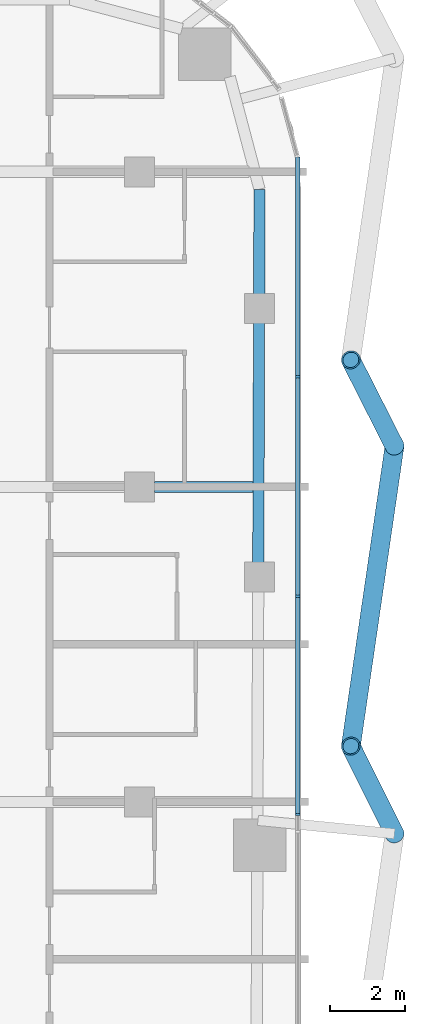
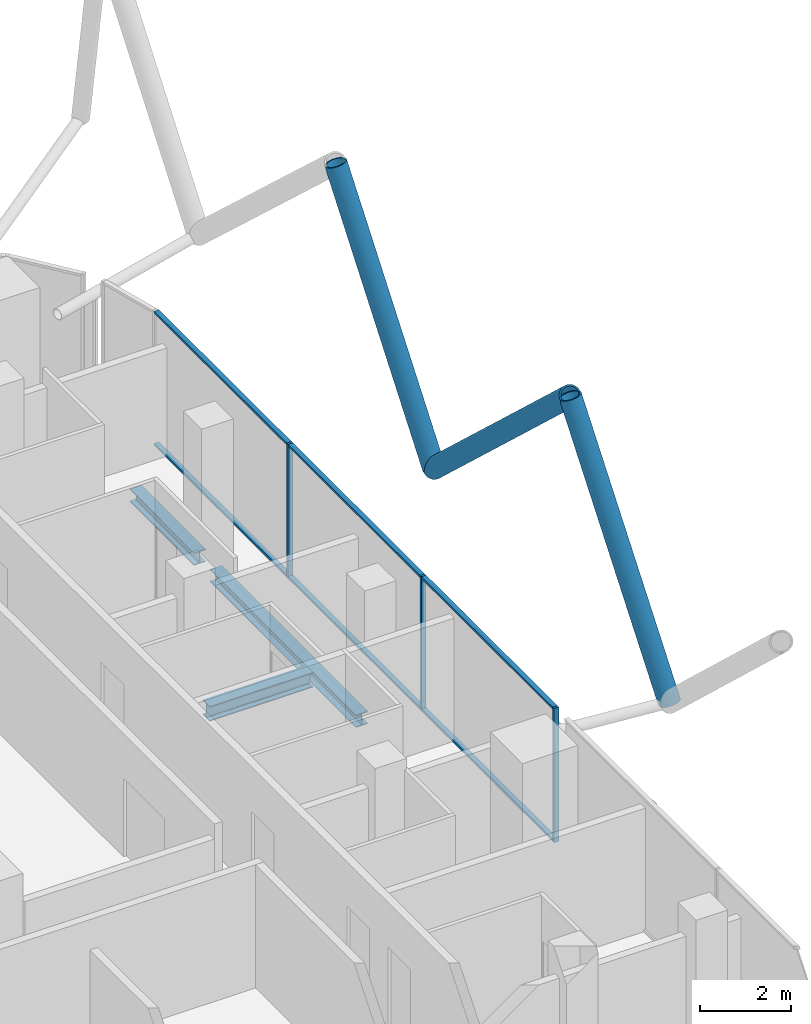
# One storey, part 12 of 33: 12 members, 3 beams, 1 element without a shape of its own.
"""IFC4 building model written with IfcOpenShell, lengths in metres."""

from ifc_helpers import new_model, si_unit, direction, frame, origin, origin_2d, place, context, subcontext, project, spatial, rectangle, hollow_circle, i_section, extrude, material, layer, layer_set, material_profile, profile_set, type_object, element, aggregate, save


model = new_model("IFC4")

# Units and contexts
model_context = context("Model", 3, precision=1e-05, world=origin(), true_north=direction((0.0, 1.0)))
body_context = subcontext(model_context, "Body", "Model", "MODEL_VIEW")
ifc_project = project(units=[si_unit("LENGTHUNIT", "METRE"), si_unit("AREAUNIT", "SQUARE_METRE"), si_unit("VOLUMEUNIT", "CUBIC_METRE"), si_unit("PLANEANGLEUNIT", "RADIAN"), si_unit("MASSUNIT", "GRAM", prefix="KILO")], contexts=[model_context])

# Site, building, storey
site_placement = place(None, origin())
site = spatial("IfcSite", under=ifc_project, at=site_placement, CompositionType="ELEMENT")
building_placement = place(site_placement, origin())
building = spatial("IfcBuilding", under=site, at=building_placement, Name="Marenta Gate Hotel Tower", CompositionType="ELEMENT")
storey_placement = place(building_placement, frame((0.0, 0.0, 248.89990234375)))
storey = spatial("IfcBuildingStorey", under=building, at=storey_placement, Name="L59", CompositionType="ELEMENT", Elevation=248.89990234375)

# Members
ifc_material_1 = material(Name="Steel S355J2W", Category="steel")
ifc_material_profile_1 = material_profile(ifc_material_1, hollow_circle(Radius=0.25390625, WallThickness=0.0400390625, at=origin_2d()), Name="CHS 508x40")
ifc_profile_set_1 = profile_set([ifc_material_profile_1], Name="Steel S355J2W")
member_type_1 = type_object("IfcMemberType", Name="Diagrid diagonal T3 CHS 508x40", PredefinedType="BRACE", material=ifc_profile_set_1)
member_1_placement = place(storey_placement, frame((27.800048828125, 9.489990234375, 3.14013671875), z_axis=(-0.152365420009, 0.300228844164, 0.94161957282), x_axis=(-0.891736841079, -0.452554313052, 0.0)))
element("IfcMember", 1, at=member_1_placement, inside=storey, type_object=member_type_1, Name="L59-DG-3", PredefinedType="BRACE", context=body_context, shape_type="SweptSolid", body=[
    extrude(hollow_circle(Radius=0.25390625, WallThickness=0.0400390625, at=origin_2d()), origin(), (0.0, 0.0, 1.0), 7.646240234375),
])
member_2_placement = place(storey_placement, frame((27.800048828125, 9.489990234375, 3.14013671875), z_axis=(-0.107590615991, -0.739133102272, 0.664910908676), x_axis=(0.989571111289, -0.144045186318, 0.0)))
element("IfcMember", 2, at=member_2_placement, inside=storey, type_object=member_type_1, Name="L59-DG-4", PredefinedType="BRACE", context=body_context, shape_type="SweptSolid", body=[
    extrude(hollow_circle(Radius=0.25390625, WallThickness=0.0400390625, at=origin_2d()), origin(), (0.0, 0.0, 1.0), 10.828369140625),
])
member_3_placement = place(storey_placement, frame((27.800048828125, -0.85009765625, 3.14013671875), z_axis=(-0.152119932005, 0.305068681746, 0.940102454898), x_axis=(-0.894912926352, -0.446240802984, 0.0)))
element("IfcMember", 3, at=member_3_placement, inside=storey, type_object=member_type_1, Name="L59-DG-5", PredefinedType="BRACE", context=body_context, shape_type="SweptSolid", body=[
    extrude(hollow_circle(Radius=0.25390625, WallThickness=0.0400390625, at=origin_2d()), origin(), (0.0, 0.0, 1.0), 7.65869140625),
])

# Beams
ifc_material_2 = material(Name="Steel S355", Category="steel")
ifc_material_profile_2 = material_profile(ifc_material_2, i_section(OverallWidth=0.300048828125, OverallDepth=0.340087890625, WebThickness=0.011962890625, FlangeThickness=0.021484375, FilletRadius=0.027099609375, at=origin_2d()), Name="HEB 340")
ifc_profile_set_2 = profile_set([ifc_material_profile_2], Name="Steel S355")
beam_type_1 = type_object("IfcBeamType", Name="Edge beam HEB 340", PredefinedType="SPANDREL", material=ifc_profile_set_2)
beam_1_placement = place(storey_placement, frame((24.199951171875, 16.33447265625, -0.429931640625), z_axis=(-0.003292020626, -0.999994581285, 0.0), x_axis=(0.999994581285, -0.003292020626, 0.0)))
element("IfcBeam", 4, at=beam_1_placement, inside=storey, type_object=beam_type_1, Name="L59-EB-22", PredefinedType="SPANDREL", context=body_context, shape_type="SweptSolid", body=[
    extrude(i_section(OverallWidth=0.300048828125, OverallDepth=0.340087890625, WebThickness=0.011962890625, FlangeThickness=0.021484375, FilletRadius=0.027099609375, at=origin_2d()), origin(), (0.0, 0.0, 1.0), 2.818115234375),
])
beam_2_placement = place(storey_placement, frame((24.188232421875, 12.79638671875, -0.429931640625), z_axis=(-0.00333963982, -0.999994423387, 0.0), x_axis=(0.999994423387, -0.00333963982, 0.0)))
element("IfcBeam", 5, at=beam_2_placement, inside=storey, type_object=beam_type_1, Name="L59-EB-23", PredefinedType="SPANDREL", context=body_context, shape_type="SweptSolid", body=[
    extrude(i_section(OverallWidth=0.300048828125, OverallDepth=0.340087890625, WebThickness=0.011962890625, FlangeThickness=0.021484375, FilletRadius=0.027099609375, at=origin_2d()), origin(), (0.0, 0.0, 1.0), 6.43310546875),
])
ifc_material_3 = material(Name="Steel S355", Category="steel")
ifc_material_profile_3 = material_profile(ifc_material_3, i_section(OverallWidth=0.300048828125, OverallDepth=0.39990234375, WebThickness=0.013427734375, FlangeThickness=0.02392578125, FilletRadius=0.027099609375, at=origin_2d()), Name="HEB 400")
ifc_profile_set_3 = profile_set([ifc_material_profile_3], Name="Steel S355")
beam_type_2 = type_object("IfcBeamType", Name="Girder HEB 400", PredefinedType="BEAM", material=ifc_profile_set_3)
beam_3_placement = place(storey_placement, frame((21.39990234375, 8.39990234375, -0.4599609375), z_axis=(1.0, 0.0, 0.0), x_axis=(0.0, 1.0, 0.0)))
element("IfcBeam", 6, at=beam_3_placement, inside=storey, type_object=beam_type_2, Name="L59-GD-28", PredefinedType="BEAM", context=body_context, shape_type="SweptSolid", body=[
    extrude(i_section(OverallWidth=0.300048828125, OverallDepth=0.39990234375, WebThickness=0.013427734375, FlangeThickness=0.02392578125, FilletRadius=0.027099609375, at=origin_2d()), origin(), (0.0, 0.0, 1.0), 2.623779296875),
])

# Curtain wall, members
ifc_material_4 = material(Name="Tinted insulated glass in bronze anodised frame", Category="glass")
ifc_layer = layer(ifc_material_4, 0.1201171875)
ifc_layer_set = layer_set([ifc_layer], Name="Tinted insulated glass in bronze anodised frame")
curtain_wall_type = type_object("IfcCurtainWallType", Name="Tower unitised curtain wall CW1", PredefinedType="NOTDEFINED", material=ifc_layer_set)
curtain_wall_placement = place(storey_placement, origin())
curtain_wall = element("IfcCurtainWall", 7, at=curtain_wall_placement, inside=storey, type_object=curtain_wall_type, Name="CW1 run G34", PredefinedType="NOTDEFINED")
ifc_material_5 = material(Name="Bronze anodised aluminium", Category="aluminium")
ifc_material_profile_4 = material_profile(ifc_material_5, rectangle(XDim=0.1201171875, YDim=0.06005859375, at=origin_2d()), Name="Mullion CW1 60x120 bronze anodised aluminium")
ifc_profile_set_4 = profile_set([ifc_material_profile_4], Name="Bronze anodised aluminium")
member_type_2 = type_object("IfcMemberType", Name="Mullion CW1 60x120 bronze anodised aluminium", PredefinedType="MULLION", material=ifc_profile_set_4)
member_4_placement = place(storey_placement, frame((25.214111328125, -0.337890625, 0.0), z_axis=(0.0, 0.0, 1.0), x_axis=(-1.0, 0.0, 0.0)))
member_4 = element("IfcMember", 8, at=member_4_placement, type_object=member_type_2, Name="CW1 mullion 1", PredefinedType="MULLION", context=body_context, shape_type="SweptSolid", body=[
    extrude(rectangle(XDim=0.1201171875, YDim=0.06005859375, at=origin_2d()), origin(), (0.0, 0.0, 1.0), 3.60009765625),
])
member_5_placement = place(storey_placement, frame((25.214111328125, 5.4853515625, 0.0), z_axis=(0.0, 0.0, 1.0), x_axis=(-1.0, 0.0, 0.0)))
member_5 = element("IfcMember", 9, at=member_5_placement, type_object=member_type_2, Name="CW1 mullion 2", PredefinedType="MULLION", context=body_context, shape_type="SweptSolid", body=[
    extrude(rectangle(XDim=0.1201171875, YDim=0.06005859375, at=origin_2d()), origin(), (0.0, 0.0, 1.0), 3.60009765625),
])
member_6_placement = place(storey_placement, frame((25.214111328125, 11.338623046875, 0.0), z_axis=(0.0, 0.0, 1.0), x_axis=(-1.0, 0.0, 0.0)))
member_6 = element("IfcMember", 10, at=member_6_placement, type_object=member_type_2, Name="CW1 mullion 3", PredefinedType="MULLION", context=body_context, shape_type="SweptSolid", body=[
    extrude(rectangle(XDim=0.1201171875, YDim=0.06005859375, at=origin_2d()), origin(), (0.0, 0.0, 1.0), 3.60009765625),
])
ifc_material_6 = material(Name="Bronze anodised aluminium", Category="aluminium")
ifc_material_profile_5 = material_profile(ifc_material_6, rectangle(XDim=0.1201171875, YDim=0.06005859375, at=origin_2d()), Name="Transom CW1 60x120 bronze anodised aluminium")
ifc_profile_set_5 = profile_set([ifc_material_profile_5], Name="Bronze anodised aluminium")
member_type_3 = type_object("IfcMemberType", Name="Transom CW1 60x120 bronze anodised aluminium", PredefinedType="USERDEFINED", material=ifc_profile_set_5)
member_7_placement = place(storey_placement, frame((25.214111328125, -0.307861328125, 0.030029296875), z_axis=(0.0, 1.0, 0.0), x_axis=(-1.0, 0.0, 0.0)))
member_7 = element("IfcMember", 11, at=member_7_placement, type_object=member_type_3, Name="CW1 transom 1.1", ObjectType="TRANSOM", PredefinedType="USERDEFINED", context=body_context, shape_type="SweptSolid", body=[
    extrude(rectangle(XDim=0.1201171875, YDim=0.06005859375, at=origin_2d()), origin(), (0.0, 0.0, 1.0), 5.76318359375),
])
member_8_placement = place(storey_placement, frame((25.214111328125, -0.307861328125, 3.570068359375), z_axis=(0.0, 1.0, 0.0), x_axis=(-1.0, 0.0, 0.0)))
member_8 = element("IfcMember", 12, at=member_8_placement, type_object=member_type_3, Name="CW1 transom 1.2", ObjectType="TRANSOM", PredefinedType="USERDEFINED", context=body_context, shape_type="SweptSolid", body=[
    extrude(rectangle(XDim=0.1201171875, YDim=0.06005859375, at=origin_2d()), origin(), (0.0, 0.0, 1.0), 5.76318359375),
])
member_9_placement = place(storey_placement, frame((25.214111328125, 5.515380859375, 0.030029296875), z_axis=(0.0, 1.0, 0.0), x_axis=(-1.0, 0.0, 0.0)))
member_9 = element("IfcMember", 13, at=member_9_placement, type_object=member_type_3, Name="CW1 transom 2.1", ObjectType="TRANSOM", PredefinedType="USERDEFINED", context=body_context, shape_type="SweptSolid", body=[
    extrude(rectangle(XDim=0.1201171875, YDim=0.06005859375, at=origin_2d()), origin(), (0.0, 0.0, 1.0), 5.793212890625),
])
member_10_placement = place(storey_placement, frame((25.214111328125, 5.515380859375, 3.570068359375), z_axis=(0.0, 1.0, 0.0), x_axis=(-1.0, 0.0, 0.0)))
member_10 = element("IfcMember", 14, at=member_10_placement, type_object=member_type_3, Name="CW1 transom 2.2", ObjectType="TRANSOM", PredefinedType="USERDEFINED", context=body_context, shape_type="SweptSolid", body=[
    extrude(rectangle(XDim=0.1201171875, YDim=0.06005859375, at=origin_2d()), origin(), (0.0, 0.0, 1.0), 5.793212890625),
])
member_11_placement = place(storey_placement, frame((25.214111328125, 11.36865234375, 0.030029296875), z_axis=(0.0, 1.0, 0.0), x_axis=(-1.0, 0.0, 0.0)))
member_11 = element("IfcMember", 15, at=member_11_placement, type_object=member_type_3, Name="CW1 transom 3.1", ObjectType="TRANSOM", PredefinedType="USERDEFINED", context=body_context, shape_type="SweptSolid", body=[
    extrude(rectangle(XDim=0.1201171875, YDim=0.06005859375, at=origin_2d()), origin(), (0.0, 0.0, 1.0), 5.8232421875),
])
member_12_placement = place(storey_placement, frame((25.214111328125, 11.36865234375, 3.570068359375), z_axis=(0.0, 1.0, 0.0), x_axis=(-1.0, 0.0, 0.0)))
member_12 = element("IfcMember", 16, at=member_12_placement, type_object=member_type_3, Name="CW1 transom 3.2", ObjectType="TRANSOM", PredefinedType="USERDEFINED", context=body_context, shape_type="SweptSolid", body=[
    extrude(rectangle(XDim=0.1201171875, YDim=0.06005859375, at=origin_2d()), origin(), (0.0, 0.0, 1.0), 5.8232421875),
])
aggregate(curtain_wall, [member_4, member_5, member_6, member_7, member_8, member_9, member_10, member_11, member_12])

save(model, "model.ifc")
